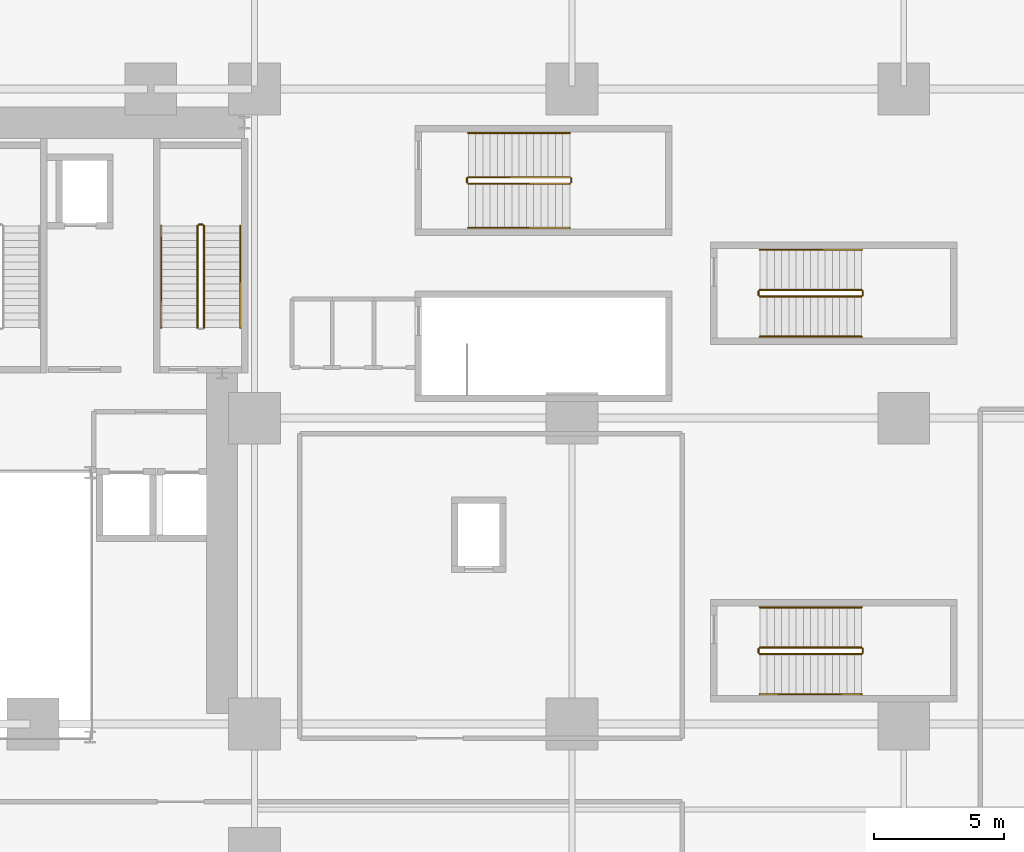
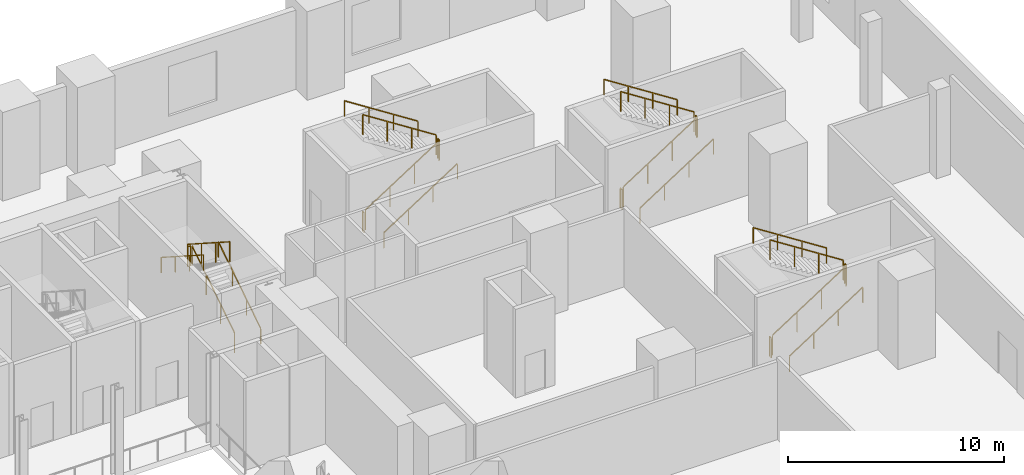
# One storey, part 15 of 15: 23 railings.
"""IFC4 building model written with IfcOpenShell, lengths in metres."""

from ifc_helpers import new_model, si_unit, direction, frame, origin, origin_2d, place, context, subcontext, project, spatial, rectangle, extrude, source, transform, mapped, material, type_object, element, save


model = new_model("IFC4")

# Units and contexts
model_context = context("Model", 3, precision=1e-05, world=origin(), true_north=direction((0.0, 1.0)))
body_context = subcontext(model_context, "Body", "Model", "MODEL_VIEW")
ifc_project = project(units=[si_unit("LENGTHUNIT", "METRE"), si_unit("AREAUNIT", "SQUARE_METRE"), si_unit("VOLUMEUNIT", "CUBIC_METRE"), si_unit("PLANEANGLEUNIT", "RADIAN"), si_unit("MASSUNIT", "GRAM", prefix="KILO")], contexts=[model_context])

# Site, building, storey
site_placement = place(None, origin())
site = spatial("IfcSite", under=ifc_project, at=site_placement, CompositionType="ELEMENT")
building_placement = place(site_placement, origin())
building = spatial("IfcBuilding", under=site, at=building_placement, Name="Vardaveli Station Tower", CompositionType="ELEMENT")
storey_placement = place(building_placement, frame((0.0, 0.0, 6.0)))
storey = spatial("IfcBuildingStorey", under=building, at=storey_placement, Name="L02", CompositionType="ELEMENT", Elevation=6.0)

# Railings
ifc_material = material(Name="Brushed AISI 316 stainless steel", Category="steel")
railing_type_1 = type_object("IfcRailingType", Name="RL-GUARD-1150", PredefinedType="GUARDRAIL", material=ifc_material)
shared_shape_1 = source(origin(), body_context, "Body", "SweptSolid", [
    extrude(rectangle(XDim=0.048095703125, YDim=0.048095703125, at=origin_2d()), frame((0.0, 0.0, 1.1259765625), z_axis=(0.0, 0.841186985886, 0.540744352514), x_axis=(-1.0, 0.0, 0.0)), (0.0, 0.0, 1.0), 4.660400390625),
    extrude(rectangle(XDim=0.0419921875, YDim=0.0419921875, at=origin_2d()), origin(), (0.0, 0.0, 1.0), 1.101806640625),
    extrude(rectangle(XDim=0.0419921875, YDim=0.0419921875, at=origin_2d()), frame((0.0, 1.306640625, 0.840087890625)), (0.0, 0.0, 1.0), 1.101806640625),
    extrude(rectangle(XDim=0.0419921875, YDim=0.0419921875, at=origin_2d()), frame((0.0, 2.613525390625, 1.679931640625)), (0.0, 0.0, 1.0), 1.101806640625),
    extrude(rectangle(XDim=0.0419921875, YDim=0.0419921875, at=origin_2d()), frame((0.0, 3.920166015625, 2.52001953125)), (0.0, 0.0, 1.0), 1.101806640625),
])
railing_1_placement = place(storey_placement, frame((45.800048828125, 32.39990234375, 0.179931640625)))
element("IfcRailing", 1, at=railing_1_placement, inside=storey, type_object=railing_type_1, Name="L02 ST-3 stair guard 1", PredefinedType="GUARDRAIL", context=body_context, shape_type="MappedRepresentation", body=[
    mapped(shared_shape_1, transform((0.0, 0.0, 0.0), scale=1.0)),
])
shared_shape_2 = source(origin(), body_context, "Body", "SweptSolid", [
    extrude(rectangle(XDim=0.048095703125, YDim=0.048095703125, at=origin_2d()), frame((0.0, 0.0, 1.1259765625), z_axis=(-1.0, 0.0, 0.0), x_axis=(0.0, -1.0, 0.0)), (0.0, 0.0, 1.0), 0.14990234375),
    extrude(rectangle(XDim=0.0419921875, YDim=0.0419921875, at=origin_2d()), origin(), (0.0, 0.0, 1.0), 1.101806640625),
    extrude(rectangle(XDim=0.0419921875, YDim=0.0419921875, at=origin_2d()), frame((-0.14990234375, 0.0, 0.0)), (0.0, 0.0, 1.0), 1.101806640625),
])
railing_2_placement = place(storey_placement, frame((45.75, 36.3701171875, 2.699951171875)))
element("IfcRailing", 2, at=railing_2_placement, inside=storey, type_object=railing_type_1, Name="L02 ST-3 stair guard 2", PredefinedType="GUARDRAIL", context=body_context, shape_type="MappedRepresentation", body=[
    mapped(shared_shape_2, transform((0.0, 0.0, 0.0), scale=1.0)),
])
shared_shape_3 = source(origin(), body_context, "Body", "SweptSolid", [
    extrude(rectangle(XDim=0.048095703125, YDim=0.048095703125, at=origin_2d()), frame((0.0, 0.0, 1.1259765625), z_axis=(0.0, -0.841186985886, 0.540744352514), x_axis=(1.0, 0.0, 0.0)), (0.0, 0.0, 1.0), 4.660400390625),
    extrude(rectangle(XDim=0.0419921875, YDim=0.0419921875, at=origin_2d()), origin(), (0.0, 0.0, 1.0), 1.101806640625),
    extrude(rectangle(XDim=0.0419921875, YDim=0.0419921875, at=origin_2d()), frame((0.0, -1.306640625, 0.840087890625)), (0.0, 0.0, 1.0), 1.101806640625),
    extrude(rectangle(XDim=0.0419921875, YDim=0.0419921875, at=origin_2d()), frame((0.0, -2.613525390625, 1.679931640625)), (0.0, 0.0, 1.0), 1.101806640625),
    extrude(rectangle(XDim=0.0419921875, YDim=0.0419921875, at=origin_2d()), frame((0.0, -3.920166015625, 2.52001953125)), (0.0, 0.0, 1.0), 1.101806640625),
])
railing_3_placement = place(storey_placement, frame((45.550048828125, 36.320068359375, 2.8798828125)))
element("IfcRailing", 3, at=railing_3_placement, inside=storey, type_object=railing_type_1, Name="L02 ST-3 stair guard 3", PredefinedType="GUARDRAIL", context=body_context, shape_type="MappedRepresentation", body=[
    mapped(shared_shape_3, transform((0.0, 0.0, 0.0), scale=1.0)),
])
railing_type_2 = type_object("IfcRailingType", Name="RL-HAND-900", PredefinedType="HANDRAIL", material=ifc_material)
shared_shape_4 = source(origin(), body_context, "Body", "SweptSolid", [
    extrude(rectangle(XDim=0.048095703125, YDim=0.048095703125, at=origin_2d()), frame((0.0, 0.0, 0.8759765625), z_axis=(0.0, 0.841186985886, 0.540744352514), x_axis=(-1.0, 0.0, 0.0)), (0.0, 0.0, 1.0), 4.660400390625),
    extrude(rectangle(XDim=0.0419921875, YDim=0.0419921875, at=origin_2d()), origin(), (0.0, 0.0, 1.0), 0.851806640625),
    extrude(rectangle(XDim=0.0419921875, YDim=0.0419921875, at=origin_2d()), frame((0.0, 1.306640625, 0.840087890625)), (0.0, 0.0, 1.0), 0.851806640625),
    extrude(rectangle(XDim=0.0419921875, YDim=0.0419921875, at=origin_2d()), frame((0.0, 2.613525390625, 1.679931640625)), (0.0, 0.0, 1.0), 0.851806640625),
    extrude(rectangle(XDim=0.0419921875, YDim=0.0419921875, at=origin_2d()), frame((0.0, 3.920166015625, 2.52001953125)), (0.0, 0.0, 1.0), 0.851806640625),
])
railing_4_placement = place(storey_placement, frame((47.199951171875, 32.39990234375, 0.179931640625)))
element("IfcRailing", 4, at=railing_4_placement, inside=storey, type_object=railing_type_2, Name="L02 ST-3 stair handrail 1", PredefinedType="HANDRAIL", context=body_context, shape_type="MappedRepresentation", body=[
    mapped(shared_shape_4, transform((0.0, 0.0, 0.0), scale=1.0)),
])
shared_shape_5 = source(origin(), body_context, "Body", "SweptSolid", [
    extrude(rectangle(XDim=0.048095703125, YDim=0.048095703125, at=origin_2d()), frame((0.0, 0.0, 0.8759765625), z_axis=(0.0, -0.841186985886, 0.540744352514), x_axis=(1.0, 0.0, 0.0)), (0.0, 0.0, 1.0), 4.660400390625),
    extrude(rectangle(XDim=0.0419921875, YDim=0.0419921875, at=origin_2d()), origin(), (0.0, 0.0, 1.0), 0.851806640625),
    extrude(rectangle(XDim=0.0419921875, YDim=0.0419921875, at=origin_2d()), frame((0.0, -1.306640625, 0.840087890625)), (0.0, 0.0, 1.0), 0.851806640625),
    extrude(rectangle(XDim=0.0419921875, YDim=0.0419921875, at=origin_2d()), frame((0.0, -2.613525390625, 1.679931640625)), (0.0, 0.0, 1.0), 0.851806640625),
    extrude(rectangle(XDim=0.0419921875, YDim=0.0419921875, at=origin_2d()), frame((0.0, -3.920166015625, 2.52001953125)), (0.0, 0.0, 1.0), 0.851806640625),
])
railing_5_placement = place(storey_placement, frame((44.14990234375, 36.320068359375, 2.8798828125)))
element("IfcRailing", 5, at=railing_5_placement, inside=storey, type_object=railing_type_2, Name="L02 ST-3 stair handrail 2", PredefinedType="HANDRAIL", context=body_context, shape_type="MappedRepresentation", body=[
    mapped(shared_shape_5, transform((0.0, 0.0, 0.0), scale=1.0)),
])
shared_shape_6 = source(origin(), body_context, "Body", "SweptSolid", [
    extrude(rectangle(XDim=0.048095703125, YDim=0.048095703125, at=origin_2d()), frame((0.0, 0.0, 1.1259765625), z_axis=(0.841171666519, 0.0, 0.540768182723), x_axis=(0.0, 1.0, 0.0)), (0.0, 0.0, 1.0), 4.66015625),
    extrude(rectangle(XDim=0.0419921875, YDim=0.0419921875, at=origin_2d()), origin(), (0.0, 0.0, 1.0), 1.101806640625),
    extrude(rectangle(XDim=0.0419921875, YDim=0.0419921875, at=origin_2d()), frame((1.306640625, 0.0, 0.840087890625)), (0.0, 0.0, 1.0), 1.101806640625),
    extrude(rectangle(XDim=0.0419921875, YDim=0.0419921875, at=origin_2d()), frame((2.61328125, 0.0, 1.679931640625)), (0.0, 0.0, 1.0), 1.101806640625),
    extrude(rectangle(XDim=0.0419921875, YDim=0.0419921875, at=origin_2d()), frame((3.919921875, 0.0, 2.52001953125)), (0.0, 0.0, 1.0), 1.101806640625),
])
for number, where, name in (
    (6, (56.0, 37.949951171875, 0.179931640625), "L02 ST-P2 stair guard 1"),
    (7, (67.25, 19.800048828125, 0.179931640625), "L02 ST-C1 stair guard 1"),
    (8, (67.25, 33.60009765625, 0.179931640625), "L02 ST-C2 stair guard 1"),
):
    element("IfcRailing", number, at=place(storey_placement, frame(where)), inside=storey, type_object=railing_type_1, Name=name, PredefinedType="GUARDRAIL", context=body_context, shape_type="MappedRepresentation", body=[
        mapped(shared_shape_6, transform((0.0, 0.0, 0.0), scale=1.0)),
    ])
shared_shape_7 = source(origin(), body_context, "Body", "SweptSolid", [
    extrude(rectangle(XDim=0.048095703125, YDim=0.048095703125, at=origin_2d()), frame((0.0, 0.0, 1.1259765625), z_axis=(0.0, 1.0, 0.0), x_axis=(-1.0, 0.0, 0.0)), (0.0, 0.0, 1.0), 0.14990234375),
    extrude(rectangle(XDim=0.0419921875, YDim=0.0419921875, at=origin_2d()), origin(), (0.0, 0.0, 1.0), 1.101806640625),
    extrude(rectangle(XDim=0.0419921875, YDim=0.0419921875, at=origin_2d()), frame((0.0, 0.14990234375, 0.0)), (0.0, 0.0, 1.0), 1.101806640625),
])
for number, where, name in (
    (9, (59.969970703125, 38.0, 2.699951171875), "L02 ST-P2 stair guard 2"),
    (10, (55.949951171875, 38.0, 0.0), "L02 ST-P2 stair guard 4"),
    (11, (71.219970703125, 19.85009765625, 2.699951171875), "L02 ST-C1 stair guard 2"),
    (12, (67.199951171875, 19.85009765625, 0.0), "L02 ST-C1 stair guard 4"),
):
    element("IfcRailing", number, at=place(storey_placement, frame(where)), inside=storey, type_object=railing_type_1, Name=name, PredefinedType="GUARDRAIL", context=body_context, shape_type="MappedRepresentation", body=[
        mapped(shared_shape_7, transform((0.0, 0.0, 0.0), scale=1.0)),
    ])
shared_shape_8 = source(origin(), body_context, "Body", "SweptSolid", [
    extrude(rectangle(XDim=0.048095703125, YDim=0.048095703125, at=origin_2d()), frame((0.0, 0.0, 1.1259765625), z_axis=(-0.841171666519, 0.0, 0.540768182723), x_axis=(0.0, -1.0, 0.0)), (0.0, 0.0, 1.0), 4.66015625),
    extrude(rectangle(XDim=0.0419921875, YDim=0.0419921875, at=origin_2d()), origin(), (0.0, 0.0, 1.0), 1.101806640625),
    extrude(rectangle(XDim=0.0419921875, YDim=0.0419921875, at=origin_2d()), frame((-1.306640625, 0.0, 0.840087890625)), (0.0, 0.0, 1.0), 1.101806640625),
    extrude(rectangle(XDim=0.0419921875, YDim=0.0419921875, at=origin_2d()), frame((-2.61328125, 0.0, 1.679931640625)), (0.0, 0.0, 1.0), 1.101806640625),
    extrude(rectangle(XDim=0.0419921875, YDim=0.0419921875, at=origin_2d()), frame((-3.919921875, 0.0, 2.52001953125)), (0.0, 0.0, 1.0), 1.101806640625),
])
for number, where, name in (
    (13, (59.919921875, 38.199951171875, 2.8798828125), "L02 ST-P2 stair guard 3"),
    (14, (71.169921875, 20.050048828125, 2.8798828125), "L02 ST-C1 stair guard 3"),
    (15, (71.169921875, 33.85009765625, 2.8798828125), "L02 ST-C2 stair guard 3"),
):
    element("IfcRailing", number, at=place(storey_placement, frame(where)), inside=storey, type_object=railing_type_1, Name=name, PredefinedType="GUARDRAIL", context=body_context, shape_type="MappedRepresentation", body=[
        mapped(shared_shape_8, transform((0.0, 0.0, 0.0), scale=1.0)),
    ])
shared_shape_9 = source(origin(), body_context, "Body", "SweptSolid", [
    extrude(rectangle(XDim=0.048095703125, YDim=0.048095703125, at=origin_2d()), frame((0.0, 0.0, 0.8759765625), z_axis=(0.841171666519, 0.0, 0.540768182723), x_axis=(0.0, 1.0, 0.0)), (0.0, 0.0, 1.0), 4.66015625),
    extrude(rectangle(XDim=0.0419921875, YDim=0.0419921875, at=origin_2d()), origin(), (0.0, 0.0, 1.0), 0.851806640625),
    extrude(rectangle(XDim=0.0419921875, YDim=0.0419921875, at=origin_2d()), frame((1.306640625, 0.0, 0.840087890625)), (0.0, 0.0, 1.0), 0.851806640625),
    extrude(rectangle(XDim=0.0419921875, YDim=0.0419921875, at=origin_2d()), frame((2.61328125, 0.0, 1.679931640625)), (0.0, 0.0, 1.0), 0.851806640625),
    extrude(rectangle(XDim=0.0419921875, YDim=0.0419921875, at=origin_2d()), frame((3.919921875, 0.0, 2.52001953125)), (0.0, 0.0, 1.0), 0.851806640625),
])
for number, where, name in (
    (16, (56.0, 36.25, 0.179931640625), "L02 ST-P2 stair handrail 1"),
    (17, (67.25, 18.25, 0.179931640625), "L02 ST-C1 stair handrail 1"),
    (18, (67.25, 32.050048828125, 0.179931640625), "L02 ST-C2 stair handrail 1"),
):
    element("IfcRailing", number, at=place(storey_placement, frame(where)), inside=storey, type_object=railing_type_2, Name=name, PredefinedType="HANDRAIL", context=body_context, shape_type="MappedRepresentation", body=[
        mapped(shared_shape_9, transform((0.0, 0.0, 0.0), scale=1.0)),
    ])
shared_shape_10 = source(origin(), body_context, "Body", "SweptSolid", [
    extrude(rectangle(XDim=0.048095703125, YDim=0.048095703125, at=origin_2d()), frame((0.0, 0.0, 0.8759765625), z_axis=(-0.841171666519, 0.0, 0.540768182723), x_axis=(0.0, -1.0, 0.0)), (0.0, 0.0, 1.0), 4.66015625),
    extrude(rectangle(XDim=0.0419921875, YDim=0.0419921875, at=origin_2d()), origin(), (0.0, 0.0, 1.0), 0.851806640625),
    extrude(rectangle(XDim=0.0419921875, YDim=0.0419921875, at=origin_2d()), frame((-1.306640625, 0.0, 0.840087890625)), (0.0, 0.0, 1.0), 0.851806640625),
    extrude(rectangle(XDim=0.0419921875, YDim=0.0419921875, at=origin_2d()), frame((-2.61328125, 0.0, 1.679931640625)), (0.0, 0.0, 1.0), 0.851806640625),
    extrude(rectangle(XDim=0.0419921875, YDim=0.0419921875, at=origin_2d()), frame((-3.919921875, 0.0, 2.52001953125)), (0.0, 0.0, 1.0), 0.851806640625),
])
for number, where, name in (
    (19, (59.919921875, 39.89990234375, 2.8798828125), "L02 ST-P2 stair handrail 2"),
    (20, (71.169921875, 21.60009765625, 2.8798828125), "L02 ST-C1 stair handrail 2"),
    (21, (71.169921875, 35.39990234375, 2.8798828125), "L02 ST-C2 stair handrail 2"),
):
    element("IfcRailing", number, at=place(storey_placement, frame(where)), inside=storey, type_object=railing_type_2, Name=name, PredefinedType="HANDRAIL", context=body_context, shape_type="MappedRepresentation", body=[
        mapped(shared_shape_10, transform((0.0, 0.0, 0.0), scale=1.0)),
    ])
shared_shape_11 = source(origin(), body_context, "Body", "SweptSolid", [
    extrude(rectangle(XDim=0.048095703125, YDim=0.048095703125, at=origin_2d()), frame((0.0, 0.0, 1.1259765625), z_axis=(0.0, 1.0, 0.0), x_axis=(-1.0, 0.0, 0.0)), (0.0, 0.0, 1.0), 0.150146484375),
    extrude(rectangle(XDim=0.0419921875, YDim=0.0419921875, at=origin_2d()), origin(), (0.0, 0.0, 1.0), 1.101806640625),
    extrude(rectangle(XDim=0.0419921875, YDim=0.0419921875, at=origin_2d()), frame((0.0, 0.150146484375, 0.0)), (0.0, 0.0, 1.0), 1.101806640625),
])
for number, where, name in (
    (22, (71.219970703125, 33.64990234375, 2.699951171875), "L02 ST-C2 stair guard 2"),
    (23, (67.199951171875, 33.64990234375, 0.0), "L02 ST-C2 stair guard 4"),
):
    element("IfcRailing", number, at=place(storey_placement, frame(where)), inside=storey, type_object=railing_type_1, Name=name, PredefinedType="GUARDRAIL", context=body_context, shape_type="MappedRepresentation", body=[
        mapped(shared_shape_11, transform((0.0, 0.0, 0.0), scale=1.0)),
    ])

save(model, "model.ifc")
